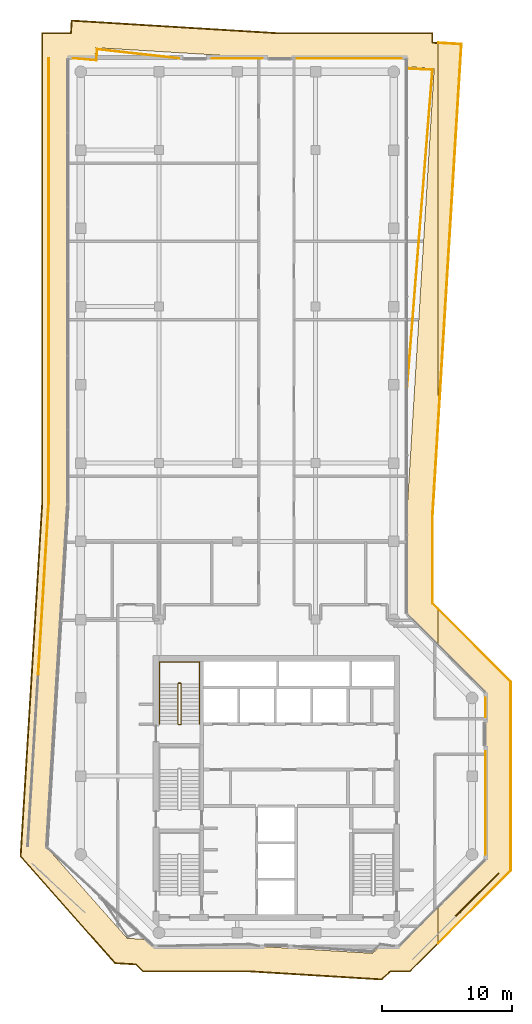
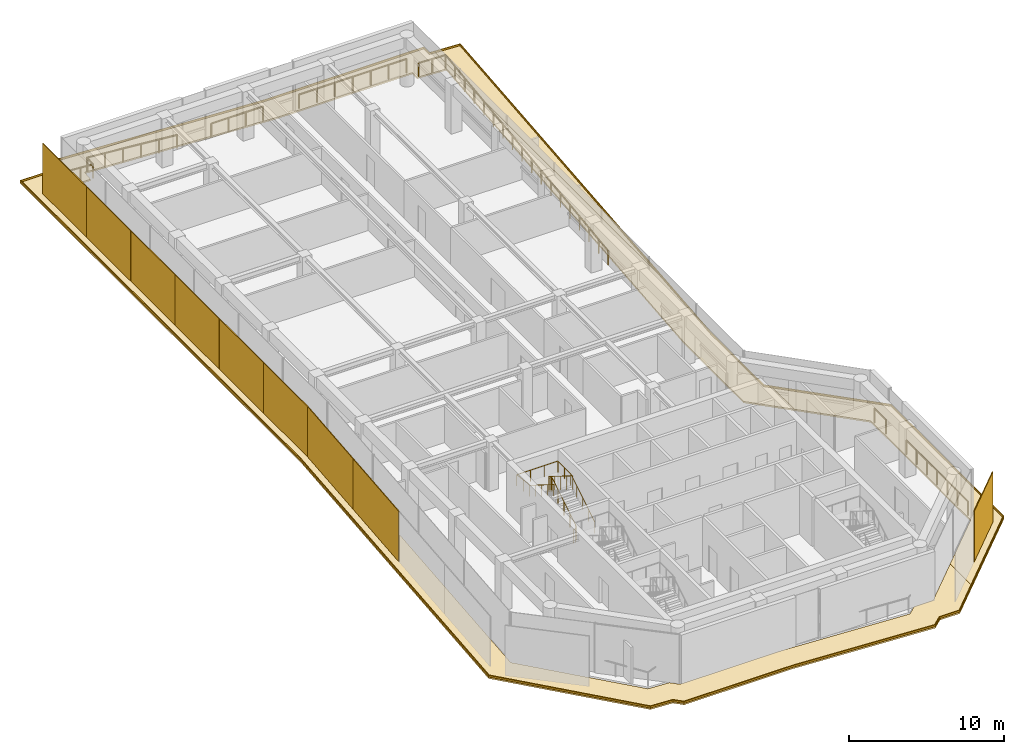
# One storey, part 19 of 19: 16 coverings, 8 railings.
"""IFC4 building model written with IfcOpenShell, lengths in metres."""

from ifc_helpers import new_model, si_unit, direction, frame, origin, origin_2d, place, context, subcontext, project, spatial, polyline, rectangle, circle, outline, extrude, material, layer, layer_set, type_object, element, save


model = new_model("IFC4")

# Units and contexts
model_context = context("Model", 3, precision=1e-05, world=origin(), true_north=direction((0.0, 1.0)))
body_context = subcontext(model_context, "Body", "Model", "MODEL_VIEW")
ifc_project = project(units=[si_unit("LENGTHUNIT", "METRE"), si_unit("AREAUNIT", "SQUARE_METRE"), si_unit("VOLUMEUNIT", "CUBIC_METRE"), si_unit("PLANEANGLEUNIT", "RADIAN"), si_unit("MASSUNIT", "GRAM", prefix="KILO")], contexts=[model_context])

# Site, building, storey
site_placement = place(None, origin())
site = spatial("IfcSite", under=ifc_project, at=site_placement, CompositionType="ELEMENT")
building_placement = place(site_placement, origin())
building = spatial("IfcBuilding", under=site, at=building_placement, Name="Welwitschia Terrace Campus", CompositionType="ELEMENT")
storey_placement = place(building_placement, frame((0.0, 0.0, 243.199951171875)))
storey = spatial("IfcBuildingStorey", under=building, at=storey_placement, Name="L54", CompositionType="ELEMENT", Elevation=243.199951171875)

# Coverings
ifc_material_1 = material(Name="Bronze mesh aluminium screen", Category="aluminium")
ifc_layer_1 = layer(ifc_material_1, 0.06005859375)
ifc_layer_set_1 = layer_set([ifc_layer_1], Name="Bronze mesh aluminium screen")
covering_type_1 = type_object("IfcCoveringType", Name="Bronze screen 60", PredefinedType="USERDEFINED", material=ifc_layer_set_1)
for number, where, z_axis, x_axis, name in (
    (1, (-2.658447265625, 33.6455078125, 0.0), (0.0, 0.0, 1.0), (-0.061048539535, -0.998134798422, 0.0), "Screen L54.0.0"),
    (2, (-3.060791015625, 27.068603515625, 0.0), (0.0, 0.0, 1.0), (-0.061048539535, -0.998134798422, 0.0), "Screen L54.0.1"),
):
    element("IfcCovering", number, at=place(storey_placement, frame(where, z_axis=z_axis, x_axis=x_axis)), inside=storey, type_object=covering_type_1, Name=name, ObjectType="SCREEN", PredefinedType="USERDEFINED", context=body_context, shape_type="SweptSolid", body=[
        extrude(rectangle(XDim=6.569091796875, YDim=0.06005859375, at=origin_2d()), origin(), (0.0, 0.0, 1.0), 3.949951171875),
    ])
covering_1_placement = place(storey_placement, frame((30.390380859375, 6.911376953125, 0.0), z_axis=(0.0, 0.0, 1.0), x_axis=(0.707106781187, 0.707106781187, 0.0)))
element("IfcCovering", 3, at=covering_1_placement, inside=storey, type_object=covering_type_1, Name="Screen L54.3.1", ObjectType="SCREEN", PredefinedType="USERDEFINED", context=body_context, shape_type="SweptSolid", body=[
    extrude(rectangle(XDim=4.6494140625, YDim=0.06005859375, at=origin_2d()), origin(), (0.0, 0.0, 1.0), 3.949951171875),
])
for number, where, z_axis, x_axis, name in (
    (4, (-2.4599609375, 68.181396484375, 0.0), (0.0, 0.0, 1.0), (0.0, -1.0, 0.0), "Screen L54.8.0"),
    (5, (-2.4599609375, 62.484130859375, 0.0), (0.0, 0.0, 1.0), (0.0, -1.0, 0.0), "Screen L54.8.1"),
    (6, (-2.4599609375, 56.786865234375, 0.0), (0.0, 0.0, 1.0), (0.0, -1.0, 0.0), "Screen L54.8.2"),
    (7, (-2.4599609375, 51.089599609375, 0.0), (0.0, 0.0, 1.0), (0.0, -1.0, 0.0), "Screen L54.8.3"),
    (8, (-2.4599609375, 45.392333984375, 0.0), (0.0, 0.0, 1.0), (0.0, -1.0, 0.0), "Screen L54.8.4"),
    (9, (-2.4599609375, 39.695068359375, 0.0), (0.0, 0.0, 1.0), (0.0, -1.0, 0.0), "Screen L54.8.5"),
):
    element("IfcCovering", number, at=place(storey_placement, frame(where, z_axis=z_axis, x_axis=x_axis)), inside=storey, type_object=covering_type_1, Name=name, ObjectType="SCREEN", PredefinedType="USERDEFINED", context=body_context, shape_type="SweptSolid", body=[
        extrude(rectangle(XDim=5.67724609375, YDim=0.06005859375, at=origin_2d()), origin(), (0.0, 0.0, 1.0), 3.949951171875),
    ])

# Railings
ifc_material_2 = material(Name="Stainless steel grade 316", Category="steel")
railing_type_1 = type_object("IfcRailingType", Name="Guard 1100", PredefinedType="GUARDRAIL", material=ifc_material_2)
railing_1_placement = place(storey_placement, frame((-0.580078125, 71.030029296875, 0.0)))
element("IfcRailing", 10, at=railing_1_placement, inside=storey, type_object=railing_type_1, Name="Guard floor edge L54.0", PredefinedType="GUARDRAIL", context=body_context, shape_type="SweptSolid", body=[
    extrude(circle(Radius=0.02392578125, at=origin_2d()), frame((0.0, 0.0, 1.076171875), z_axis=(0.9964690744, -0.083960608406, 0.0), x_axis=(0.083960608406, 0.9964690744, 0.0)), (0.0, 0.0, 1.0), 1.788330078125),
    extrude(circle(Radius=0.02392578125, at=origin_2d()), frame((1.781982421875, -0.150146484375, 1.076171875), z_axis=(0.061027734257, 0.99813607071, 0.0), x_axis=(-0.99813607071, 0.061027734257, 0.0)), (0.0, 0.0, 1.0), 0.843994140625),
    extrude(circle(Radius=0.02392578125, at=origin_2d()), frame((1.83349609375, 0.6923828125, 1.076171875), z_axis=(0.993944536944, -0.109882926238, 0.0), x_axis=(0.109882926238, 0.993944536944, 0.0)), (0.0, 0.0, 1.0), 6.301025390625),
    extrude(circle(Radius=0.02099609375, at=origin_2d()), origin(), (0.0, 0.0, 1.0), 1.052001953125),
    extrude(circle(Radius=0.02099609375, at=origin_2d()), frame((0.89111328125, -0.0751953125, 0.0)), (0.0, 0.0, 1.0), 1.052001953125),
    extrude(circle(Radius=0.02099609375, at=origin_2d()), frame((1.781982421875, -0.150146484375, 0.0)), (0.0, 0.0, 1.0), 1.052001953125),
    extrude(circle(Radius=0.02099609375, at=origin_2d()), frame((1.83349609375, 0.6923828125, 0.0)), (0.0, 0.0, 1.0), 1.052001953125),
    extrude(circle(Radius=0.02099609375, at=origin_2d()), frame((3.086181640625, 0.553955078125, 0.0)), (0.0, 0.0, 1.0), 1.052001953125),
    extrude(circle(Radius=0.02099609375, at=origin_2d()), frame((4.338623046875, 0.41552734375, 0.0)), (0.0, 0.0, 1.0), 1.052001953125),
    extrude(circle(Radius=0.02099609375, at=origin_2d()), frame((5.59130859375, 0.27685546875, 0.0)), (0.0, 0.0, 1.0), 1.052001953125),
    extrude(circle(Radius=0.02099609375, at=origin_2d()), frame((6.84375, 0.138427734375, 0.0)), (0.0, 0.0, 1.0), 1.052001953125),
    extrude(circle(Radius=0.02099609375, at=origin_2d()), frame((8.096435546875, 0.0, 0.0)), (0.0, 0.0, 1.0), 1.052001953125),
])
railing_2_placement = place(storey_placement, frame((10.06494140625, 71.030029296875, 0.0)))
element("IfcRailing", 11, at=railing_2_placement, inside=storey, type_object=railing_type_1, Name="Guard floor edge L54.3", PredefinedType="GUARDRAIL", context=body_context, shape_type="SweptSolid", body=[
    extrude(circle(Radius=0.02392578125, at=origin_2d()), frame((0.0, 0.0, 1.076171875), z_axis=(1.0, 0.0, 0.0), x_axis=(0.0, 1.0, 0.0)), (0.0, 0.0, 1.0), 3.850341796875),
    extrude(circle(Radius=0.02099609375, at=origin_2d()), origin(), (0.0, 0.0, 1.0), 1.052001953125),
    extrude(circle(Radius=0.02099609375, at=origin_2d()), frame((1.283447265625, 0.0, 0.0)), (0.0, 0.0, 1.0), 1.052001953125),
    extrude(circle(Radius=0.02099609375, at=origin_2d()), frame((2.56689453125, 0.0, 0.0)), (0.0, 0.0, 1.0), 1.052001953125),
    extrude(circle(Radius=0.02099609375, at=origin_2d()), frame((3.850341796875, 0.0, 0.0)), (0.0, 0.0, 1.0), 1.052001953125),
])
railing_3_placement = place(storey_placement, frame((16.581298828125, 71.030029296875, 0.0)))
element("IfcRailing", 12, at=railing_3_placement, inside=storey, type_object=railing_type_1, Name="Guard floor edge L54.5", PredefinedType="GUARDRAIL", context=body_context, shape_type="SweptSolid", body=[
    extrude(circle(Radius=0.02392578125, at=origin_2d()), frame((0.0, 0.0, 1.076171875), z_axis=(1.0, 0.0, 0.0), x_axis=(0.0, 1.0, 0.0)), (0.0, 0.0, 1.0), 7.998779296875),
    extrude(circle(Radius=0.02099609375, at=origin_2d()), origin(), (0.0, 0.0, 1.0), 1.052001953125),
    extrude(circle(Radius=0.02099609375, at=origin_2d()), frame((1.3330078125, 0.0, 0.0)), (0.0, 0.0, 1.0), 1.052001953125),
    extrude(circle(Radius=0.02099609375, at=origin_2d()), frame((2.666259765625, 0.0, 0.0)), (0.0, 0.0, 1.0), 1.052001953125),
    extrude(circle(Radius=0.02099609375, at=origin_2d()), frame((3.99951171875, 0.0, 0.0)), (0.0, 0.0, 1.0), 1.052001953125),
    extrude(circle(Radius=0.02099609375, at=origin_2d()), frame((5.33251953125, 0.0, 0.0)), (0.0, 0.0, 1.0), 1.052001953125),
    extrude(circle(Radius=0.02099609375, at=origin_2d()), frame((6.66552734375, 0.0, 0.0)), (0.0, 0.0, 1.0), 1.052001953125),
    extrude(circle(Radius=0.02099609375, at=origin_2d()), frame((7.998779296875, 0.0, 0.0)), (0.0, 0.0, 1.0), 1.052001953125),
])
railing_4_placement = place(storey_placement, frame((25.030029296875, 70.24072265625, 0.0)))
element("IfcRailing", 13, at=railing_4_placement, inside=storey, type_object=railing_type_1, Name="Guard floor edge L54.6", PredefinedType="GUARDRAIL", context=body_context, shape_type="SweptSolid", body=[
    extrude(circle(Radius=0.02392578125, at=origin_2d()), frame((0.0, 0.0, 1.076171875), z_axis=(0.998900686479, -0.046876631181, 0.0), x_axis=(0.046876631181, 0.998900686479, 0.0)), (0.0, 0.0, 1.0), 1.9375),
    extrude(circle(Radius=0.02392578125, at=origin_2d()), frame((1.935302734375, -0.0908203125, 1.076171875), z_axis=(-0.079438923316, -0.996839735094, 0.0), x_axis=(0.996839735094, -0.079438923316, 0.0)), (0.0, 0.0, 1.0), 24.362060546875),
    extrude(circle(Radius=0.02099609375, at=origin_2d()), origin(), (0.0, 0.0, 1.0), 1.052001953125),
    extrude(circle(Radius=0.02099609375, at=origin_2d()), frame((0.9677734375, -0.04541015625, 0.0)), (0.0, 0.0, 1.0), 1.052001953125),
    extrude(circle(Radius=0.02099609375, at=origin_2d()), frame((1.935302734375, -0.0908203125, 0.0)), (0.0, 0.0, 1.0), 1.052001953125),
    extrude(circle(Radius=0.02099609375, at=origin_2d()), frame((1.821533203125, -1.519287109375, 0.0)), (0.0, 0.0, 1.0), 1.052001953125),
    extrude(circle(Radius=0.02099609375, at=origin_2d()), frame((1.70751953125, -2.947998046875, 0.0)), (0.0, 0.0, 1.0), 1.052001953125),
    extrude(circle(Radius=0.02099609375, at=origin_2d()), frame((1.59375, -4.37646484375, 0.0)), (0.0, 0.0, 1.0), 1.052001953125),
    extrude(circle(Radius=0.02099609375, at=origin_2d()), frame((1.47998046875, -5.804931640625, 0.0)), (0.0, 0.0, 1.0), 1.052001953125),
    extrude(circle(Radius=0.02099609375, at=origin_2d()), frame((1.3662109375, -7.2333984375, 0.0)), (0.0, 0.0, 1.0), 1.052001953125),
    extrude(circle(Radius=0.02099609375, at=origin_2d()), frame((1.252197265625, -8.662109375, 0.0)), (0.0, 0.0, 1.0), 1.052001953125),
    extrude(circle(Radius=0.02099609375, at=origin_2d()), frame((1.138427734375, -10.090576171875, 0.0)), (0.0, 0.0, 1.0), 1.052001953125),
    extrude(circle(Radius=0.02099609375, at=origin_2d()), frame((1.024658203125, -11.51904296875, 0.0)), (0.0, 0.0, 1.0), 1.052001953125),
    extrude(circle(Radius=0.02099609375, at=origin_2d()), frame((0.91064453125, -12.94775390625, 0.0)), (0.0, 0.0, 1.0), 1.052001953125),
    extrude(circle(Radius=0.02099609375, at=origin_2d()), frame((0.796875, -14.376220703125, 0.0)), (0.0, 0.0, 1.0), 1.052001953125),
    extrude(circle(Radius=0.02099609375, at=origin_2d()), frame((0.68310546875, -15.8046875, 0.0)), (0.0, 0.0, 1.0), 1.052001953125),
    extrude(circle(Radius=0.02099609375, at=origin_2d()), frame((0.569091796875, -17.2333984375, 0.0)), (0.0, 0.0, 1.0), 1.052001953125),
    extrude(circle(Radius=0.02099609375, at=origin_2d()), frame((0.455322265625, -18.661865234375, 0.0)), (0.0, 0.0, 1.0), 1.052001953125),
    extrude(circle(Radius=0.02099609375, at=origin_2d()), frame((0.341552734375, -20.09033203125, 0.0)), (0.0, 0.0, 1.0), 1.052001953125),
    extrude(circle(Radius=0.02099609375, at=origin_2d()), frame((0.227783203125, -21.518798828125, 0.0)), (0.0, 0.0, 1.0), 1.052001953125),
    extrude(circle(Radius=0.02099609375, at=origin_2d()), frame((0.11376953125, -22.947509765625, 0.0)), (0.0, 0.0, 1.0), 1.052001953125),
    extrude(circle(Radius=0.02099609375, at=origin_2d()), frame((0.0, -24.3759765625, 0.0)), (0.0, 0.0, 1.0), 1.052001953125),
])
railing_5_placement = place(storey_placement, frame((31.030029296875, 17.8896484375, 0.0)))
element("IfcRailing", 14, at=railing_5_placement, inside=storey, type_object=railing_type_1, Name="Guard floor edge L54.7", PredefinedType="GUARDRAIL", context=body_context, shape_type="SweptSolid", body=[
    extrude(circle(Radius=0.02392578125, at=origin_2d()), frame((0.0, 0.0, 1.076171875), z_axis=(0.0, -1.0, 0.0), x_axis=(1.0, 0.0, 0.0)), (0.0, 0.0, 1.0), 7.892578125),
    extrude(circle(Radius=0.02099609375, at=origin_2d()), origin(), (0.0, 0.0, 1.0), 1.052001953125),
    extrude(circle(Radius=0.02099609375, at=origin_2d()), frame((0.0, -1.3154296875, 0.0)), (0.0, 0.0, 1.0), 1.052001953125),
    extrude(circle(Radius=0.02099609375, at=origin_2d()), frame((0.0, -2.630859375, 0.0)), (0.0, 0.0, 1.0), 1.052001953125),
    extrude(circle(Radius=0.02099609375, at=origin_2d()), frame((0.0, -3.9462890625, 0.0)), (0.0, 0.0, 1.0), 1.052001953125),
    extrude(circle(Radius=0.02099609375, at=origin_2d()), frame((0.0, -5.26171875, 0.0)), (0.0, 0.0, 1.0), 1.052001953125),
    extrude(circle(Radius=0.02099609375, at=origin_2d()), frame((0.0, -6.5771484375, 0.0)), (0.0, 0.0, 1.0), 1.052001953125),
    extrude(circle(Radius=0.02099609375, at=origin_2d()), frame((0.0, -7.892578125, 0.0)), (0.0, 0.0, 1.0), 1.052001953125),
])
railing_6_placement = place(storey_placement, frame((31.030029296875, 22.0029296875, 0.0)))
element("IfcRailing", 15, at=railing_6_placement, inside=storey, type_object=railing_type_1, Name="Guard floor edge L54.8", PredefinedType="GUARDRAIL", context=body_context, shape_type="SweptSolid", body=[
    extrude(circle(Radius=0.02392578125, at=origin_2d()), frame((0.0, 0.0, 1.076171875), z_axis=(0.0, -1.0, 0.0), x_axis=(1.0, 0.0, 0.0)), (0.0, 0.0, 1.0), 1.4658203125),
    extrude(circle(Radius=0.02099609375, at=origin_2d()), origin(), (0.0, 0.0, 1.0), 1.052001953125),
    extrude(circle(Radius=0.02099609375, at=origin_2d()), frame((0.0, -1.4658203125, 0.0)), (0.0, 0.0, 1.0), 1.052001953125),
])
ifc_material_3 = material(Name="Steel S355", Category="steel")
railing_type_2 = type_object("IfcRailingType", Name="Stair guard 1100", PredefinedType="GUARDRAIL", material=ifc_material_3)
railing_7_placement = place(storey_placement, frame((7.5, 19.949951171875, 0.0)))
element("IfcRailing", 16, at=railing_7_placement, inside=storey, type_object=railing_type_2, Name="L54 S4 stair guard", PredefinedType="GUARDRAIL", context=body_context, shape_type="SweptSolid", body=[
    extrude(circle(Radius=0.02392578125, at=origin_2d()), frame((0.0, 0.0, 1.076171875), z_axis=(1.0, 0.0, 0.0), x_axis=(0.0, 1.0, 0.0)), (0.0, 0.0, 1.0), 0.14990234375),
    extrude(circle(Radius=0.02392578125, at=origin_2d()), frame((0.14990234375, 0.0, 1.076171875), z_axis=(0.265065253269, 0.265065253269, 0.927081885822), x_axis=(-0.707106781187, 0.707106781187, 0.0)), (0.0, 0.0, 1.0), 0.188720703125),
    extrude(circle(Radius=0.02392578125, at=origin_2d()), frame((0.199951171875, 0.050048828125, 1.2509765625), z_axis=(0.0, 0.847998304005, 0.529998940003), x_axis=(-1.0, 0.0, 0.0)), (0.0, 0.0, 1.0), 3.632080078125),
    extrude(circle(Radius=0.02392578125, at=origin_2d()), frame((0.199951171875, 3.130126953125, 3.17626953125), z_axis=(-0.708833529934, 0.705375805398, 0.0), x_axis=(-0.705375805398, -0.708833529934, 0.0)), (0.0, 0.0, 1.0), 0.070556640625),
    extrude(circle(Radius=0.02392578125, at=origin_2d()), frame((0.14990234375, 3.179931640625, 3.17626953125), z_axis=(-1.0, 0.0, 0.0), x_axis=(0.0, -1.0, 0.0)), (0.0, 0.0, 1.0), 0.14990234375),
    extrude(circle(Radius=0.02392578125, at=origin_2d()), frame((0.0, 3.179931640625, 3.17626953125), z_axis=(-0.265155923931, -0.263862480399, 0.927399011991), x_axis=(0.705375805398, -0.708833529934, 0.0)), (0.0, 0.0, 1.0), 0.188720703125),
    extrude(circle(Radius=0.02392578125, at=origin_2d()), frame((-0.050048828125, 3.130126953125, 3.35107421875), z_axis=(0.0, -0.848028513186, 0.529950602248), x_axis=(1.0, 0.0, 0.0)), (0.0, 0.0, 1.0), 3.632080078125),
    extrude(circle(Radius=0.02099609375, at=origin_2d()), origin(), (0.0, 0.0, 1.0), 1.052001953125),
    extrude(circle(Radius=0.02099609375, at=origin_2d()), frame((0.14990234375, 0.0, 0.0)), (0.0, 0.0, 1.0), 1.052001953125),
    extrude(circle(Radius=0.02099609375, at=origin_2d()), frame((0.199951171875, 0.050048828125, 0.175048828125)), (0.0, 0.0, 1.0), 1.052001953125),
    extrude(circle(Radius=0.02099609375, at=origin_2d()), frame((0.199951171875, 0.820068359375, 0.65625)), (0.0, 0.0, 1.0), 1.052001953125),
    extrude(circle(Radius=0.02099609375, at=origin_2d()), frame((0.199951171875, 1.590087890625, 1.1376953125)), (0.0, 0.0, 1.0), 1.052001953125),
    extrude(circle(Radius=0.02099609375, at=origin_2d()), frame((0.199951171875, 2.360107421875, 1.618896484375)), (0.0, 0.0, 1.0), 1.052001953125),
    extrude(circle(Radius=0.02099609375, at=origin_2d()), frame((0.199951171875, 3.130126953125, 2.10009765625)), (0.0, 0.0, 1.0), 1.052001953125),
    extrude(circle(Radius=0.02099609375, at=origin_2d()), frame((0.14990234375, 3.179931640625, 2.10009765625)), (0.0, 0.0, 1.0), 1.052001953125),
    extrude(circle(Radius=0.02099609375, at=origin_2d()), frame((0.0, 3.179931640625, 2.10009765625)), (0.0, 0.0, 1.0), 1.052001953125),
    extrude(circle(Radius=0.02099609375, at=origin_2d()), frame((-0.050048828125, 3.130126953125, 2.275146484375)), (0.0, 0.0, 1.0), 1.052001953125),
    extrude(circle(Radius=0.02099609375, at=origin_2d()), frame((-0.050048828125, 2.360107421875, 2.75634765625)), (0.0, 0.0, 1.0), 1.052001953125),
    extrude(circle(Radius=0.02099609375, at=origin_2d()), frame((-0.050048828125, 1.590087890625, 3.237548828125)), (0.0, 0.0, 1.0), 1.052001953125),
    extrude(circle(Radius=0.02099609375, at=origin_2d()), frame((-0.050048828125, 0.820068359375, 3.71875)), (0.0, 0.0, 1.0), 1.052001953125),
    extrude(circle(Radius=0.02099609375, at=origin_2d()), frame((-0.050048828125, 0.050048828125, 4.199951171875)), (0.0, 0.0, 1.0), 1.052001953125),
])
ifc_material_4 = material(Name="Steel S355", Category="steel")
railing_type_3 = type_object("IfcRailingType", Name="Stair handrail 900", PredefinedType="HANDRAIL", material=ifc_material_4)
railing_8_placement = place(storey_placement, frame((9.10009765625, 20.0, 0.175048828125)))
element("IfcRailing", 17, at=railing_8_placement, inside=storey, type_object=railing_type_3, Name="L54 S4 stair handrail", PredefinedType="HANDRAIL", context=body_context, shape_type="SweptSolid", body=[
    extrude(circle(Radius=0.02392578125, at=origin_2d()), frame((0.0, 0.0, 0.8759765625), z_axis=(0.0, 0.847998304005, 0.529998940003), x_axis=(-1.0, 0.0, 0.0)), (0.0, 0.0, 1.0), 3.632080078125),
    extrude(circle(Radius=0.02392578125, at=origin_2d()), frame((0.0, 3.080078125, 2.80078125), z_axis=(0.0, 1.0, 0.0), x_axis=(-1.0, 0.0, 0.0)), (0.0, 0.0, 1.0), 1.669921875),
    extrude(circle(Radius=0.02392578125, at=origin_2d()), frame((0.0, 4.75, 2.80078125), z_axis=(-1.0, 0.0, 0.0), x_axis=(0.0, -1.0, 0.0)), (0.0, 0.0, 1.0), 3.050048828125),
    extrude(circle(Radius=0.02392578125, at=origin_2d()), frame((-3.050048828125, 4.75, 2.80078125), z_axis=(0.0, -0.99455077262, 0.104253348533), x_axis=(1.0, 0.0, 0.0)), (0.0, 0.0, 1.0), 1.678955078125),
    extrude(circle(Radius=0.02392578125, at=origin_2d()), frame((-3.050048828125, 3.080078125, 2.97607421875), z_axis=(0.0, -0.848028513186, 0.529950602248), x_axis=(1.0, 0.0, 0.0)), (0.0, 0.0, 1.0), 3.632080078125),
    extrude(circle(Radius=0.02099609375, at=origin_2d()), origin(), (0.0, 0.0, 1.0), 0.851806640625),
    extrude(circle(Radius=0.02099609375, at=origin_2d()), frame((0.0, 0.77001953125, 0.481201171875)), (0.0, 0.0, 1.0), 0.851806640625),
    extrude(circle(Radius=0.02099609375, at=origin_2d()), frame((0.0, 1.5400390625, 0.96240234375)), (0.0, 0.0, 1.0), 0.851806640625),
    extrude(circle(Radius=0.02099609375, at=origin_2d()), frame((0.0, 2.31005859375, 1.44384765625)), (0.0, 0.0, 1.0), 0.851806640625),
    extrude(circle(Radius=0.02099609375, at=origin_2d()), frame((0.0, 3.080078125, 1.925048828125)), (0.0, 0.0, 1.0), 0.851806640625),
    extrude(circle(Radius=0.02099609375, at=origin_2d()), frame((0.0, 3.9150390625, 1.925048828125)), (0.0, 0.0, 1.0), 0.851806640625),
    extrude(circle(Radius=0.02099609375, at=origin_2d()), frame((0.0, 4.75, 1.925048828125)), (0.0, 0.0, 1.0), 0.851806640625),
    extrude(circle(Radius=0.02099609375, at=origin_2d()), frame((-1.0166015625, 4.75, 1.925048828125)), (0.0, 0.0, 1.0), 0.851806640625),
    extrude(circle(Radius=0.02099609375, at=origin_2d()), frame((-2.033447265625, 4.75, 1.925048828125)), (0.0, 0.0, 1.0), 0.851806640625),
    extrude(circle(Radius=0.02099609375, at=origin_2d()), frame((-3.050048828125, 4.75, 1.925048828125)), (0.0, 0.0, 1.0), 0.851806640625),
    extrude(circle(Radius=0.02099609375, at=origin_2d()), frame((-3.050048828125, 3.9150390625, 2.0126953125)), (0.0, 0.0, 1.0), 0.851806640625),
    extrude(circle(Radius=0.02099609375, at=origin_2d()), frame((-3.050048828125, 3.080078125, 2.10009765625)), (0.0, 0.0, 1.0), 0.851806640625),
    extrude(circle(Radius=0.02099609375, at=origin_2d()), frame((-3.050048828125, 2.31005859375, 2.581298828125)), (0.0, 0.0, 1.0), 0.851806640625),
    extrude(circle(Radius=0.02099609375, at=origin_2d()), frame((-3.050048828125, 1.5400390625, 3.0625)), (0.0, 0.0, 1.0), 0.851806640625),
    extrude(circle(Radius=0.02099609375, at=origin_2d()), frame((-3.050048828125, 0.77001953125, 3.543701171875)), (0.0, 0.0, 1.0), 0.851806640625),
    extrude(circle(Radius=0.02099609375, at=origin_2d()), frame((-3.050048828125, 0.0, 4.02490234375)), (0.0, 0.0, 1.0), 0.851806640625),
])

# Coverings
ifc_material_5 = material(Name="Bronze anodised aluminium", Category="aluminium")
ifc_layer_2 = layer(ifc_material_5, 0.1201171875)
ifc_layer_set_2 = layer_set([ifc_layer_2], Name="Bronze anodised aluminium")
covering_type_2 = type_object("IfcCoveringType", Name="Sunshade band 2000", PredefinedType="USERDEFINED", material=ifc_layer_set_2)
covering_2_placement = place(storey_placement, frame((0.0, 0.0, -0.25)))
element("IfcCovering", 18, at=covering_2_placement, inside=storey, type_object=covering_type_2, Name="SUNSHADE L54.SW0", ObjectType="SUNSHADE", PredefinedType="USERDEFINED", context=body_context, shape_type="SweptSolid", body=[
    extrude(outline(polyline([(-0.733154296875, 73.968017578125), (15.091552734375, 73.0), (27.0, 73.0), (27.0, 72.271728515625), (27.3916015625, 72.247802734375), (27.3916015625, 42.39404296875), (27.0, 35.989990234375), (27.0, 29.24267578125), (27.3916015625, 28.85107421875), (27.3916015625, 26.0224609375), (25.0, 28.414306640625), (25.0, 36.05126953125), (27.09228515625, 70.26220703125), (25.0, 70.39013671875), (25.0, 71.0), (15.030517578125, 71.0), (1.140869140625, 71.849609375), (1.089111328125, 71.0), (-1.0, 71.0), (-1.0, 36.845703125), (-2.6083984375, 10.5498046875), (3.56298828125, 3.57421875), (5.105712890625, 3.47998046875), (5.585693359375, 3.0), (12.952880859375, 3.0), (22.3564453125, 2.4248046875), (23.006591796875, 3.0), (24.414306640625, 3.0), (27.3916015625, 5.9775390625), (27.3916015625, 3.14892578125), (25.24267578125, 1.0), (23.764404296875, 1.0), (23.061279296875, 0.3779296875), (12.891845703125, 1.0), (4.75732421875, 1.0), (4.227294921875, 1.52978515625), (2.6142578125, 1.628662109375), (-4.6552734375, 9.84521484375), (-3.0, 36.90673828125), (-3.0, 73.0), (-0.79248046875, 73.0), (-0.733154296875, 73.968017578125)])), origin(), (0.0, 0.0, 1.0), 0.1201171875),
])
covering_3_placement = place(storey_placement, frame((0.0, 0.0, -0.25)))
element("IfcCovering", 19, at=covering_3_placement, inside=storey, type_object=covering_type_2, Name="SUNSHADE L54.SE0", ObjectType="SUNSHADE", PredefinedType="USERDEFINED", context=body_context, shape_type="SweptSolid", body=[
    extrude(outline(polyline([(29.210693359375, 72.136474609375), (27.3916015625, 42.39404296875), (27.3916015625, 72.247802734375), (29.210693359375, 72.136474609375)])), origin(), (0.0, 0.0, 1.0), 0.1201171875),
])
covering_4_placement = place(storey_placement, frame((0.0, 0.0, -0.25)))
element("IfcCovering", 20, at=covering_4_placement, inside=storey, type_object=covering_type_2, Name="SUNSHADE L54.SE1", ObjectType="SUNSHADE", PredefinedType="USERDEFINED", context=body_context, shape_type="SweptSolid", body=[
    extrude(outline(polyline([(33.0, 23.24267578125), (33.0, 8.75732421875), (27.3916015625, 3.14892578125), (27.3916015625, 5.9775390625), (31.0, 9.585693359375), (31.0, 22.414306640625), (27.3916015625, 26.0224609375), (27.3916015625, 28.85107421875), (33.0, 23.24267578125)])), origin(), (0.0, 0.0, 1.0), 0.1201171875),
])
ifc_material_6 = material(Name="Bronze anodised aluminium", Category="aluminium")
ifc_layer_3 = layer(ifc_material_6, 0.06005859375)
ifc_layer_set_3 = layer_set([ifc_layer_3], Name="Bronze anodised aluminium")
covering_type_3 = type_object("IfcCoveringType", Name="Sunshade lip 60", PredefinedType="USERDEFINED", material=ifc_layer_set_3)
covering_5_placement = place(storey_placement, frame((0.0, 0.0, -0.1298828125)))
element("IfcCovering", 21, at=covering_5_placement, inside=storey, type_object=covering_type_3, Name="SUNSHADE LIP L54.SW0.0", ObjectType="SUNSHADE", PredefinedType="USERDEFINED", context=body_context, shape_type="SweptSolid", body=[
    extrude(outline(polyline([(15.091552734375, 73.0), (27.0, 73.0), (27.0, 72.271728515625), (27.3916015625, 72.247802734375), (27.3916015625, 72.1875), (26.93994140625, 72.215087890625), (26.93994140625, 72.93994140625), (15.08984375, 72.93994140625), (-0.677001953125, 73.904296875), (-0.736083984375, 72.93994140625), (-2.93994140625, 72.93994140625), (-2.93994140625, 36.90478515625), (-4.59375, 9.8662109375), (2.642578125, 1.68701171875), (4.25390625, 1.58837890625), (4.7822265625, 1.06005859375), (12.8935546875, 1.06005859375), (23.0400390625, 0.439453125), (23.741455078125, 1.06005859375), (25.2177734375, 1.06005859375), (27.3916015625, 3.23388671875), (27.3916015625, 3.14892578125), (25.24267578125, 1.0), (23.764404296875, 1.0), (23.061279296875, 0.3779296875), (12.891845703125, 1.0), (4.75732421875, 1.0), (4.227294921875, 1.52978515625), (2.6142578125, 1.628662109375), (-4.6552734375, 9.84521484375), (-3.0, 36.90673828125), (-3.0, 73.0), (-0.79248046875, 73.0), (-0.733154296875, 73.968017578125), (15.091552734375, 73.0)])), origin(), (0.0, 0.0, 1.0), 0.1298828125),
])
covering_6_placement = place(storey_placement, frame((0.0, 0.0, -0.1298828125)))
element("IfcCovering", 22, at=covering_6_placement, inside=storey, type_object=covering_type_3, Name="SUNSHADE LIP L54.SW0.1", ObjectType="SUNSHADE", PredefinedType="USERDEFINED", context=body_context, shape_type="SweptSolid", body=[
    extrude(outline(polyline([(27.3916015625, 42.39404296875), (27.0, 35.989990234375), (27.0, 29.24267578125), (27.3916015625, 28.85107421875), (27.3916015625, 28.76611328125), (26.93994140625, 29.2177734375), (26.93994140625, 35.991943359375), (27.3916015625, 43.376953125), (27.3916015625, 42.39404296875)])), origin(), (0.0, 0.0, 1.0), 0.1298828125),
])
covering_7_placement = place(storey_placement, frame((0.0, 0.0, -0.1298828125)))
element("IfcCovering", 23, at=covering_7_placement, inside=storey, type_object=covering_type_3, Name="SUNSHADE LIP L54.SE0.0", ObjectType="SUNSHADE", PredefinedType="USERDEFINED", context=body_context, shape_type="SweptSolid", body=[
    extrude(outline(polyline([(27.3916015625, 42.39404296875), (27.3916015625, 43.376953125), (29.147216796875, 72.080078125), (27.3916015625, 72.1875), (27.3916015625, 72.247802734375), (29.210693359375, 72.136474609375), (27.3916015625, 42.39404296875)])), origin(), (0.0, 0.0, 1.0), 0.1298828125),
])
covering_8_placement = place(storey_placement, frame((0.0, 0.0, -0.1298828125)))
element("IfcCovering", 24, at=covering_8_placement, inside=storey, type_object=covering_type_3, Name="SUNSHADE LIP L54.SE1.0", ObjectType="SUNSHADE", PredefinedType="USERDEFINED", context=body_context, shape_type="SweptSolid", body=[
    extrude(outline(polyline([(33.0, 8.75732421875), (27.3916015625, 3.14892578125), (27.3916015625, 3.23388671875), (32.93994140625, 8.7822265625), (32.93994140625, 23.2177734375), (27.3916015625, 28.76611328125), (27.3916015625, 28.85107421875), (33.0, 23.24267578125), (33.0, 8.75732421875)])), origin(), (0.0, 0.0, 1.0), 0.1298828125),
])

save(model, "model.ifc")
